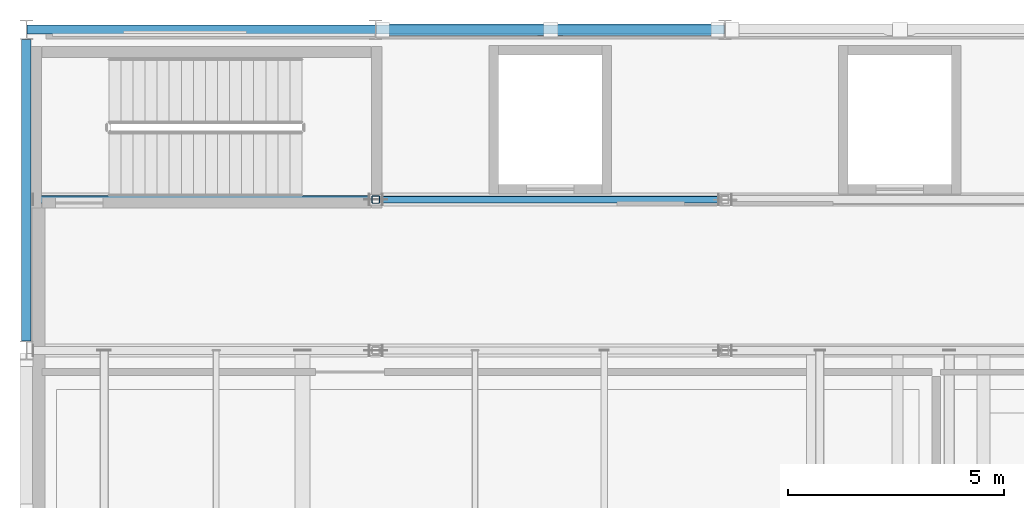
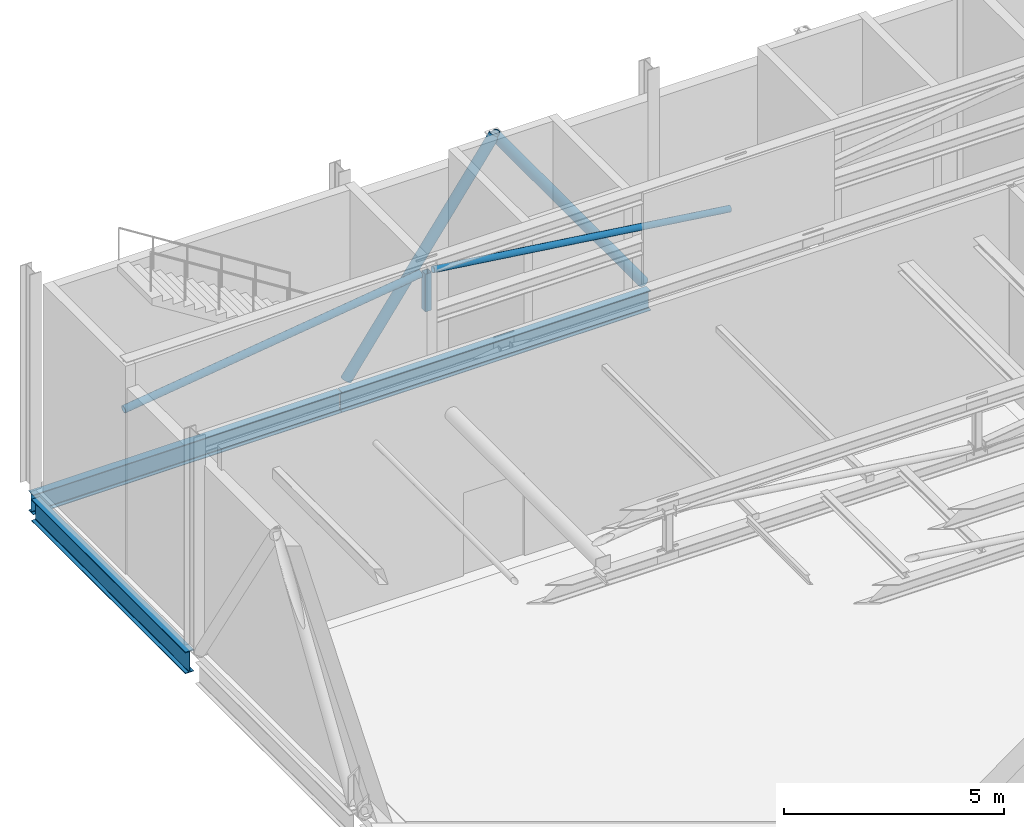
# One storey, part 9 of 21: 5 members, 3 beams.
"""IFC4 building model written with IfcOpenShell, lengths in metres."""

from ifc_helpers import new_model, si_unit, direction, frame, origin, origin_2d, place, context, subcontext, project, spatial, hollow_rectangle, hollow_circle, i_section, extrude, material, material_profile, profile_set, type_object, element, save


model = new_model("IFC4")

# Units and contexts
model_context = context("Model", 3, precision=1e-05, world=origin(), true_north=direction((0.0, 1.0)))
body_context = subcontext(model_context, "Body", "Model", "MODEL_VIEW")
ifc_project = project(units=[si_unit("LENGTHUNIT", "METRE"), si_unit("AREAUNIT", "SQUARE_METRE"), si_unit("VOLUMEUNIT", "CUBIC_METRE"), si_unit("PLANEANGLEUNIT", "RADIAN"), si_unit("MASSUNIT", "GRAM", prefix="KILO")], contexts=[model_context])

# Site, building, storey
site_placement = place(None, origin())
site = spatial("IfcSite", under=ifc_project, at=site_placement, CompositionType="ELEMENT")
building_placement = place(site_placement, origin())
building = spatial("IfcBuilding", under=site, at=building_placement, Name="Kaelora Sail Theatre", CompositionType="ELEMENT")
storey_placement = place(building_placement, frame((0.0, 0.0, 27.60009765625)))
storey = spatial("IfcBuildingStorey", under=building, at=storey_placement, Name="L06", CompositionType="ELEMENT", Elevation=27.60009765625)

# Beams
ifc_material_1 = material(Name="Steel S355", Category="steel")
ifc_material_profile_1 = material_profile(ifc_material_1, i_section(OverallWidth=0.2099609375, OverallDepth=0.550048828125, WebThickness=0.010986328125, FlangeThickness=0.01708984375, FilletRadius=0.02392578125, at=origin_2d()), Name="IPE 550")
ifc_profile_set_1 = profile_set([ifc_material_profile_1], Name="Steel S355")
beam_type_1 = type_object("IfcBeamType", Name="STR-BM-BM-IPE550", PredefinedType="USERDEFINED", material=ifc_profile_set_1)
for number, where, z_axis, x_axis, name in (
    (1, (25.80908203125, 83.340087890625, -0.4951171875), (1.0, 0.0, 0.0), (0.0, 1.0, 0.0), "Primary beam L 4-5 (L06)"),
    (2, (33.908935546875, 83.340087890625, -0.4951171875), (1.0, 0.0, 0.0), (0.0, 1.0, 0.0), "Primary beam L 5-6 (L06)"),
):
    element("IfcBeam", number, at=place(storey_placement, frame(where, z_axis=z_axis, x_axis=x_axis)), inside=storey, type_object=beam_type_1, Name=name, ObjectType="GIRDER", PredefinedType="USERDEFINED", context=body_context, shape_type="SweptSolid", body=[
        extrude(i_section(OverallWidth=0.2099609375, OverallDepth=0.550048828125, WebThickness=0.010986328125, FlangeThickness=0.01708984375, FilletRadius=0.02392578125, at=origin_2d()), origin(), (0.0, 0.0, 1.0), 8.08203125),
    ])
ifc_material_2 = material(Name="Steel S355", Category="steel")
ifc_material_profile_2 = material_profile(ifc_material_2, i_section(OverallWidth=0.219970703125, OverallDepth=0.60009765625, WebThickness=0.011962890625, FlangeThickness=0.01904296875, FilletRadius=0.02392578125, at=origin_2d()), Name="IPE 600")
ifc_profile_set_2 = profile_set([ifc_material_profile_2], Name="Steel S355")
beam_type_2 = type_object("IfcBeamType", Name="STR-BM-BM-IPE600", PredefinedType="USERDEFINED", material=ifc_profile_set_2)
beam_placement = place(storey_placement, frame((25.800048828125, 76.125, -0.52001953125), z_axis=(0.0, 1.0, 0.0), x_axis=(-1.0, 0.0, 0.0)))
element("IfcBeam", 3, at=beam_placement, inside=storey, type_object=beam_type_2, Name="Primary beam 4 K-L (L06)", ObjectType="GIRDER", PredefinedType="USERDEFINED", context=body_context, shape_type="SweptSolid", body=[
    extrude(i_section(OverallWidth=0.219970703125, OverallDepth=0.60009765625, WebThickness=0.011962890625, FlangeThickness=0.01904296875, FilletRadius=0.02392578125, at=origin_2d()), origin(), (0.0, 0.0, 1.0), 6.989990234375),
])

# Members
ifc_material_3 = material(Name="Steel S355", Category="steel")
ifc_material_profile_3 = material_profile(ifc_material_3, hollow_circle(Radius=0.136474609375, WallThickness=0.012451171875, at=origin_2d()), Name="CHS 273.0x12.5")
ifc_profile_set_3 = profile_set([ifc_material_profile_3], Name="Steel S355")
member_type_1 = type_object("IfcMemberType", Name="STR-MEM-BR-CHS273", PredefinedType="BRACE", material=ifc_profile_set_3)
for number, where, z_axis, x_axis, name in (
    (4, (34.06005859375, 83.340087890625, 0.02001953125), (0.58131066777, 0.0, 0.813681699153), (0.0, 1.0, 0.0), "Fly Tower north chevron brace L06 N2-1"),
    (5, (41.840087890625, 83.340087890625, 0.02001953125), (-0.581334822713, 0.0, 0.813664441832), (0.0, -1.0, 0.0), "Fly Tower north chevron brace L06 N2-2"),
):
    element("IfcMember", number, at=place(storey_placement, frame(where, z_axis=z_axis, x_axis=x_axis)), inside=storey, type_object=member_type_1, Name=name, PredefinedType="BRACE", context=body_context, shape_type="SweptSolid", body=[
        extrude(hollow_circle(Radius=0.136474609375, WallThickness=0.012451171875, at=origin_2d()), origin(), (0.0, 0.0, 1.0), 6.691650390625),
    ])
ifc_material_4 = material(Name="Steel S355", Category="steel")
ifc_material_profile_4 = material_profile(ifc_material_4, hollow_circle(Radius=0.084228515625, WallThickness=0.008056640625, at=origin_2d()), Name="CHS 168.3x8.0")
ifc_profile_set_4 = profile_set([ifc_material_profile_4], Name="Steel S355")
member_type_2 = type_object("IfcMemberType", Name="STR-MEM-ST-CHS168", PredefinedType="STRUT", material=ifc_profile_set_4)
member_1_placement = place(storey_placement, frame((34.06005859375, 79.39990234375, 5.469970703125), z_axis=(0.99118274936, 0.0, -0.132501914591), x_axis=(0.0, 1.0, 0.0)))
element("IfcMember", 6, at=member_1_placement, inside=storey, type_object=member_type_2, Name="TDG-01 Fly Tower truss 4 web diagonal 2", PredefinedType="STRUT", context=body_context, shape_type="SweptSolid", body=[
    extrude(hollow_circle(Radius=0.084228515625, WallThickness=0.008056640625, at=origin_2d()), origin(), (0.0, 0.0, 1.0), 7.84912109375),
])
ifc_material_5 = material(Name="Steel S355", Category="steel")
ifc_material_profile_5 = material_profile(ifc_material_5, hollow_circle(Radius=0.096923828125, WallThickness=0.010009765625, at=origin_2d()), Name="CHS 193.7x10.0")
ifc_profile_set_5 = profile_set([ifc_material_profile_5], Name="Steel S355")
member_type_3 = type_object("IfcMemberType", Name="STR-MEM-ST-CHS193", PredefinedType="STRUT", material=ifc_profile_set_5)
member_2_placement = place(storey_placement, frame((25.9599609375, 79.39990234375, 4.429931640625), z_axis=(0.99118274936, 0.0, 0.132501914591), x_axis=(0.0, 1.0, 0.0)))
element("IfcMember", 7, at=member_2_placement, inside=storey, type_object=member_type_3, Name="TDG-01 Fly Tower truss 4 web diagonal 1", PredefinedType="STRUT", context=body_context, shape_type="SweptSolid", body=[
    extrude(hollow_circle(Radius=0.096923828125, WallThickness=0.010009765625, at=origin_2d()), origin(), (0.0, 0.0, 1.0), 7.84912109375),
])
ifc_material_6 = material(Name="Steel S355", Category="steel")
ifc_material_profile_6 = material_profile(ifc_material_6, hollow_rectangle(XDim=0.179931640625, YDim=0.179931640625, WallThickness=0.010009765625, InnerFilletRadius=0.010009765625, OuterFilletRadius=0.02001953125, at=origin_2d()), Name="SHS 180x180x10.0")
ifc_profile_set_6 = profile_set([ifc_material_profile_6], Name="Steel S355")
member_type_4 = type_object("IfcMemberType", Name="STR-MEM-ST-SHS180", PredefinedType="STRUT", material=ifc_profile_set_6)
member_3_placement = place(storey_placement, frame((33.89990234375, 79.39990234375, 4.429931640625), z_axis=(0.0, 0.0, 1.0), x_axis=(1.0, 0.0, 0.0)))
element("IfcMember", 8, at=member_3_placement, inside=storey, type_object=member_type_4, Name="TVT-01 Fly Tower truss 4 vertical strut 1", PredefinedType="STRUT", context=body_context, shape_type="SweptSolid", body=[
    extrude(hollow_rectangle(XDim=0.179931640625, YDim=0.179931640625, WallThickness=0.010009765625, InnerFilletRadius=0.010009765625, OuterFilletRadius=0.02001953125, at=origin_2d()), origin(), (0.0, 0.0, 1.0), 1.0400390625),
])

save(model, "model.ifc")
